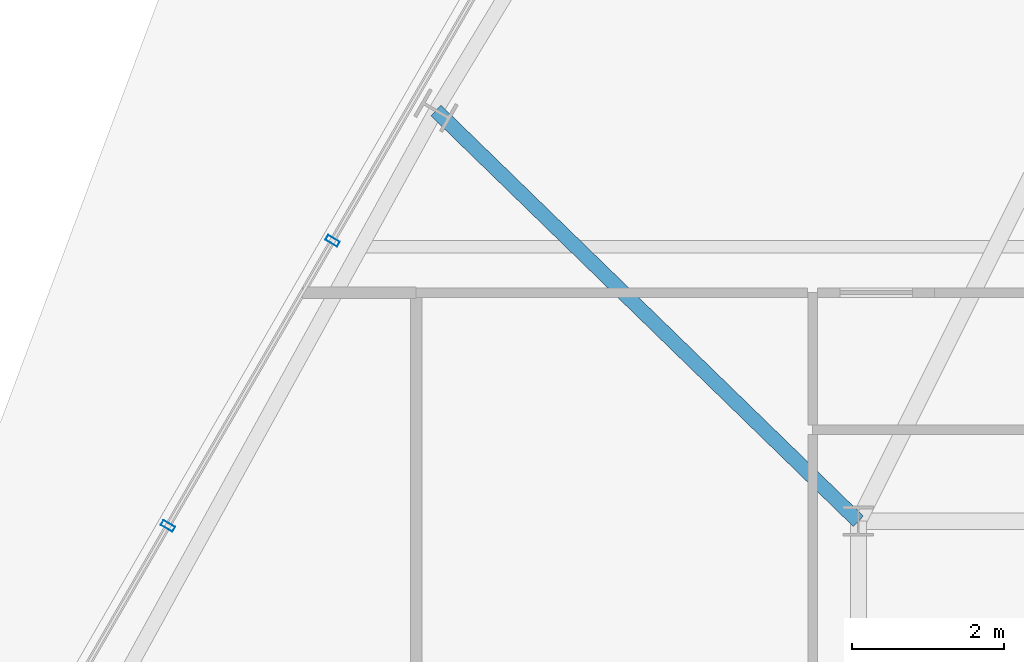
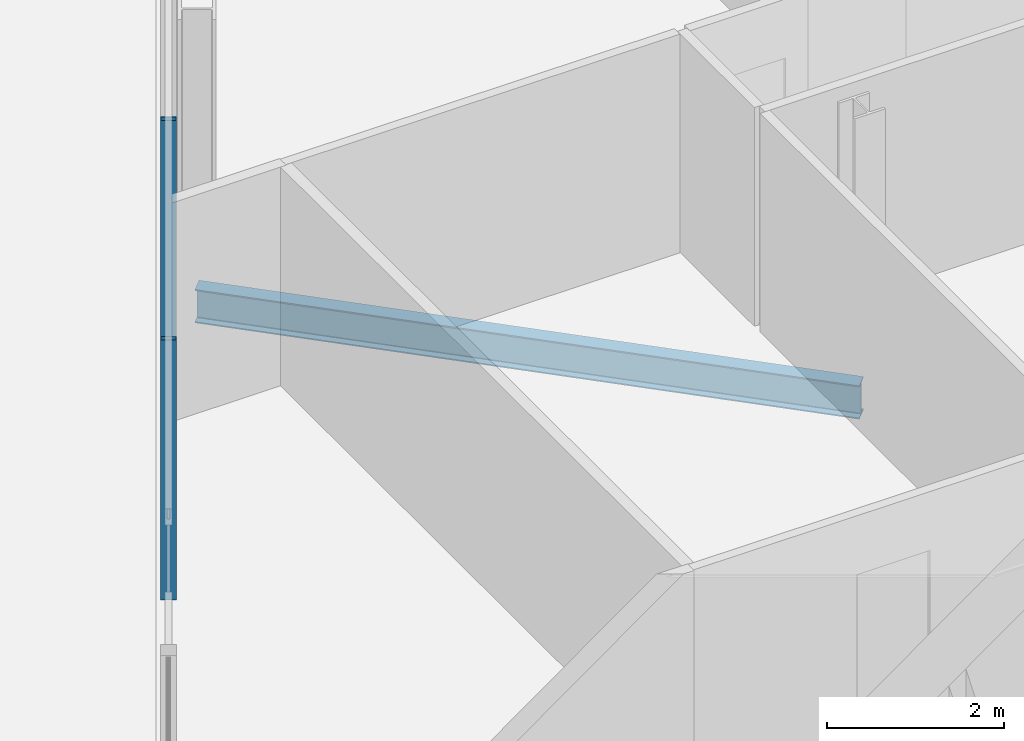
# One storey, part 12 of 37: 2 members, 1 beam, 1 element without a shape of its own.
"""IFC4 building model written with IfcOpenShell, lengths in metres."""

from ifc_helpers import new_model, si_unit, direction, frame, origin, origin_2d, place, context, subcontext, project, spatial, hollow_rectangle, i_section, extrude, material, layer, layer_set, material_profile, profile_set, type_object, element, aggregate, save


model = new_model("IFC4")

# Units and contexts
model_context = context("Model", 3, precision=1e-05, world=origin(), true_north=direction((0.0, 1.0)))
body_context = subcontext(model_context, "Body", "Model", "MODEL_VIEW")
ifc_project = project(units=[si_unit("LENGTHUNIT", "METRE"), si_unit("AREAUNIT", "SQUARE_METRE"), si_unit("VOLUMEUNIT", "CUBIC_METRE"), si_unit("PLANEANGLEUNIT", "RADIAN"), si_unit("MASSUNIT", "GRAM", prefix="KILO")], contexts=[model_context])

# Site, building, storey
site_placement = place(None, origin())
site = spatial("IfcSite", under=ifc_project, at=site_placement, CompositionType="ELEMENT")
building_placement = place(site_placement, origin())
building = spatial("IfcBuilding", under=site, at=building_placement, Name="Ndaravel Arena Tower", CompositionType="ELEMENT")
storey_placement = place(building_placement, frame((0.0, 0.0, 218.0)))
storey = spatial("IfcBuildingStorey", under=building, at=storey_placement, Name="L52", CompositionType="ELEMENT", Elevation=218.0)

# Beam
ifc_material_1 = material(Name="Steel S355", Category="steel")
ifc_material_profile_1 = material_profile(ifc_material_1, i_section(OverallWidth=0.19140625, OverallDepth=0.4599609375, WebThickness=0.010009765625, FlangeThickness=0.01611328125, FilletRadius=0.01025390625, at=origin_2d()), Name="UB 457x191x82")
ifc_profile_set_1 = profile_set([ifc_material_profile_1], Name="Steel S355")
beam_type = type_object("IfcBeamType", Name="BM-GIRD-UB457", PredefinedType="BEAM", material=ifc_profile_set_1)
beam_placement = place(storey_placement, frame((28.65869140625, 28.587890625, -0.449951171875), z_axis=(0.716955886735, -0.697118538325, 0.0), x_axis=(0.697118538325, 0.716955886735, 0.0)))
element("IfcBeam", 1, at=beam_placement, inside=storey, type_object=beam_type, Name="L52 Radial Floor Girder FG-19", PredefinedType="BEAM", context=body_context, shape_type="SweptSolid", body=[
    extrude(i_section(OverallWidth=0.19140625, OverallDepth=0.4599609375, WebThickness=0.010009765625, FlangeThickness=0.01611328125, FilletRadius=0.01025390625, at=origin_2d()), origin(), (0.0, 0.0, 1.0), 7.728759765625),
])

# Curtain wall, members
ifc_material_2 = material(Name="Aluminium", Category="aluminium")
ifc_layer = layer(ifc_material_2, 0.179931640625)
ifc_layer_set = layer_set([ifc_layer], Name="Aluminium")
curtain_wall_type = type_object("IfcCurtainWallType", Name="CW-SYS-03", PredefinedType="NOTDEFINED", material=ifc_layer_set)
curtain_wall_placement = place(storey_placement, origin())
curtain_wall = element("IfcCurtainWall", 2, at=curtain_wall_placement, inside=storey, type_object=curtain_wall_type, Name="L52 Faceted Crystal Curtain Wall CW-L52-E05", PredefinedType="NOTDEFINED")
ifc_material_3 = material(Name="Aluminium", Category="aluminium")
ifc_material_profile_2 = material_profile(ifc_material_3, hollow_rectangle(XDim=0.074951171875, YDim=0.179931640625, WallThickness=0.00390625, at=origin_2d()), Name="CW MULLION 75x180x4")
ifc_profile_set_2 = profile_set([ifc_material_profile_2], Name="Aluminium")
member_type = type_object("IfcMemberType", Name="MEM-CW-MUL180", PredefinedType="MULLION", material=ifc_profile_set_2)
member_1_placement = place(storey_placement, frame((27.302001953125, 26.8779296875, 0.0), z_axis=(0.0, 0.0, 1.0), x_axis=(-0.5, -0.866025403784, 0.0)))
member_1 = element("IfcMember", 3, at=member_1_placement, type_object=member_type, Name="CW-L52-E05 Mullion 05", PredefinedType="MULLION", context=body_context, shape_type="SweptSolid", body=[
    extrude(hollow_rectangle(XDim=0.074951171875, YDim=0.179931640625, WallThickness=0.00390625, at=origin_2d()), origin(), (0.0, 0.0, 1.0), 3.580078125),
])
member_2_placement = place(storey_placement, frame((25.142578125, 23.137939453125, 0.0), z_axis=(0.0, 0.0, 1.0), x_axis=(-0.5, -0.866025403784, 0.0)))
member_2 = element("IfcMember", 4, at=member_2_placement, type_object=member_type, Name="CW-L52-E05 Mullion 06", PredefinedType="MULLION", context=body_context, shape_type="SweptSolid", body=[
    extrude(hollow_rectangle(XDim=0.074951171875, YDim=0.179931640625, WallThickness=0.00390625, at=origin_2d()), origin(), (0.0, 0.0, 1.0), 3.580078125),
])
aggregate(curtain_wall, [member_1, member_2])

save(model, "model.ifc")
